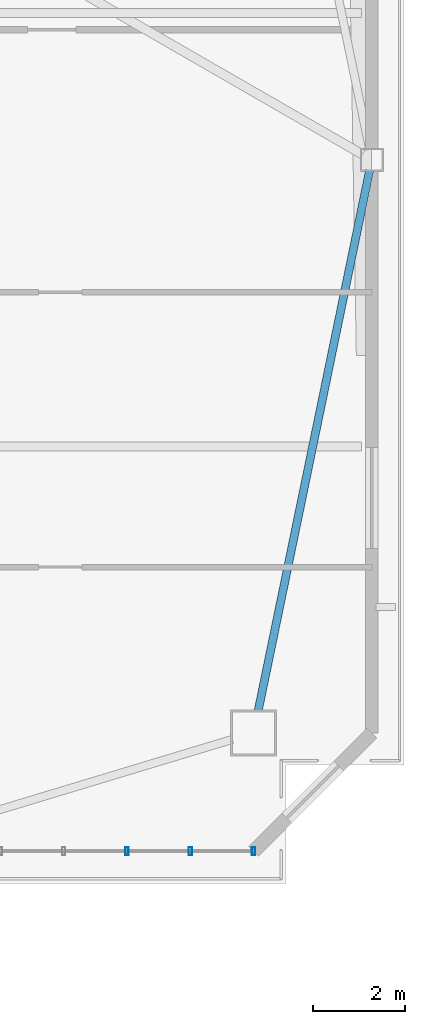
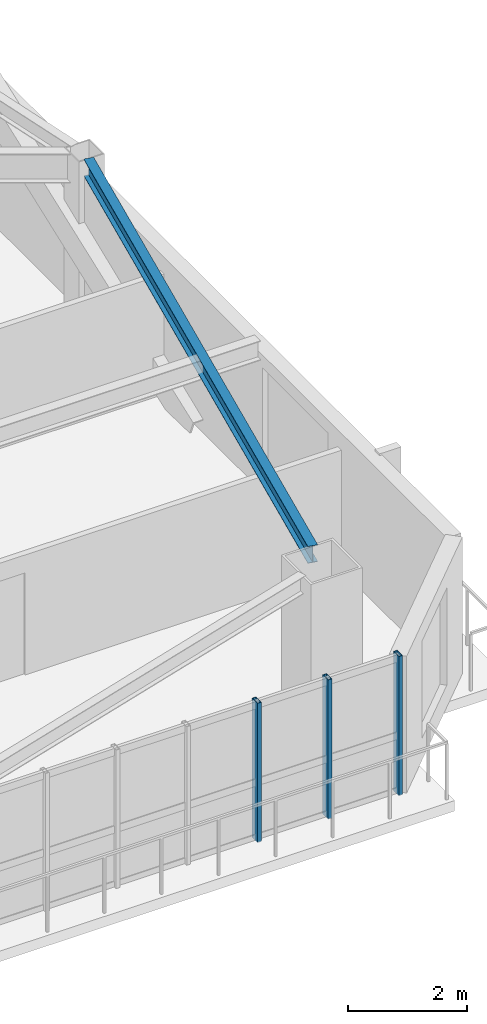
# One storey, part 6 of 18: 3 members, 1 beam, 1 element without a shape of its own.
"""IFC4 building model written with IfcOpenShell, lengths in metres."""

from ifc_helpers import new_model, si_unit, direction, frame, origin, origin_2d, place, context, subcontext, project, spatial, hollow_rectangle, i_section, extrude, source, transform, mapped, material, layer, layer_set, material_profile, profile_set, type_object, element, aggregate, save


model = new_model("IFC4")

# Units and contexts
model_context = context("Model", 3, precision=1e-05, world=origin(), true_north=direction((0.0, 1.0)))
body_context = subcontext(model_context, "Body", "Model", "MODEL_VIEW")
ifc_project = project(units=[si_unit("LENGTHUNIT", "METRE"), si_unit("AREAUNIT", "SQUARE_METRE"), si_unit("VOLUMEUNIT", "CUBIC_METRE"), si_unit("PLANEANGLEUNIT", "RADIAN"), si_unit("MASSUNIT", "GRAM", prefix="KILO")], contexts=[model_context])

# Site, building, storey
site_placement = place(None, origin())
site = spatial("IfcSite", under=ifc_project, at=site_placement, CompositionType="ELEMENT")
building_placement = place(site_placement, origin())
building = spatial("IfcBuilding", under=site, at=building_placement, Name="Giltprow Tower", CompositionType="ELEMENT")
storey_placement = place(building_placement, frame((0.0, 0.0, 262.10009765625)))
storey = spatial("IfcBuildingStorey", under=building, at=storey_placement, Name="L67", CompositionType="ELEMENT", Elevation=262.10009765625)

# Beam
ifc_material_1 = material(Name="Structural steel Q355B", Category="steel")
ifc_material_profile_1 = material_profile(ifc_material_1, i_section(OverallWidth=0.175048828125, OverallDepth=0.35009765625, WebThickness=0.007080078125, FlangeThickness=0.010986328125, at=origin_2d()), Name="HN 350x175x7x11")
ifc_profile_set_1 = profile_set([ifc_material_profile_1], Name="Structural steel Q355B")
beam_type = type_object("IfcBeamType", Name="BM-SPAN-HN350", PredefinedType="SPANDREL", material=ifc_profile_set_1)
shared_shape_1 = source(origin(), body_context, "Body", "SweptSolid", [
    extrude(i_section(OverallWidth=0.175048828125, OverallDepth=0.35009765625, WebThickness=0.007080078125, FlangeThickness=0.010986328125, at=origin_2d()), origin(), (0.0, 0.0, 1.0), 12.000244140625),
])
beam_placement = place(storey_placement, frame((59.15087890625, 19.089111328125, 3.010009765625), z_axis=(0.202000773979, 0.979385362006, 0.0), x_axis=(-0.979385362006, 0.202000773979, 0.0)))
element("IfcBeam", 1, at=beam_placement, inside=storey, type_object=beam_type, Name="L67 Perimeter Spandrel Beam MC_SE-E_MID", PredefinedType="SPANDREL", context=body_context, shape_type="MappedRepresentation", body=[
    mapped(shared_shape_1, transform((0.0, 0.0, 0.0), x_axis=(1.0, 0.0, 0.0), y_axis=(0.0, 1.0, 0.0), z_axis=(0.0, 0.0, 1.0), scale=1.0)),
])

# Curtain wall, members
ifc_material_2 = material(Name="Anodized bronze", Category="metal")
ifc_layer = layer(ifc_material_2, 0.179931640625, Name="Anodized bronze")
ifc_layer_set = layer_set([ifc_layer], Name="Anodized bronze")
curtain_wall_type = type_object("IfcCurtainWallType", Name="CW-RES-SKY", PredefinedType="NOTDEFINED", material=ifc_layer_set)
curtain_wall_placement = place(storey_placement, origin())
curtain_wall = element("IfcCurtainWall", 2, at=curtain_wall_placement, inside=storey, type_object=curtain_wall_type, Name="L67 South Recessed Curtain Wall 6", PredefinedType="NOTDEFINED")
ifc_material_profile_2 = material_profile(ifc_material_2, hollow_rectangle(XDim=0.074951171875, YDim=0.179931640625, WallThickness=0.008056640625, at=origin_2d()), Name="RHS 180x75x8")
ifc_profile_set_2 = profile_set([ifc_material_profile_2], Name="Anodized bronze")
member_type = type_object("IfcMemberType", Name="CW-MULLION-180x75", PredefinedType="MULLION", material=ifc_profile_set_2)
shared_shape_2 = source(origin(), body_context, "Body", "SweptSolid", [
    extrude(hollow_rectangle(XDim=0.074951171875, YDim=0.179931640625, WallThickness=0.008056640625, at=origin_2d()), origin(), (0.0, 0.0, 1.0), 2.869873046875),
])
member_1_placement = place(storey_placement, frame((56.302001953125, 16.044921875, -0.02001953125), z_axis=(0.0, 0.0, 1.0), x_axis=(1.0, 0.0, 0.0)))
member_1 = element("IfcMember", 3, at=member_1_placement, type_object=member_type, Name="L67 South Recessed Curtain Wall 6 Mullion 5", PredefinedType="MULLION", context=body_context, shape_type="MappedRepresentation", body=[
    mapped(shared_shape_2, transform((0.0, 0.0, 0.0), x_axis=(1.0, 0.0, 0.0), y_axis=(0.0, 1.0, 0.0), z_axis=(0.0, 0.0, 1.0), scale=1.0)),
])
member_2_placement = place(storey_placement, frame((57.677001953125, 16.044921875, -0.02001953125), z_axis=(0.0, 0.0, 1.0), x_axis=(1.0, 0.0, 0.0)))
member_2 = element("IfcMember", 4, at=member_2_placement, type_object=member_type, Name="L67 South Recessed Curtain Wall 6 Mullion 6", PredefinedType="MULLION", context=body_context, shape_type="MappedRepresentation", body=[
    mapped(shared_shape_2, transform((0.0, 0.0, 0.0), x_axis=(1.0, 0.0, 0.0), y_axis=(0.0, 1.0, 0.0), z_axis=(0.0, 0.0, 1.0), scale=1.0)),
])
member_3_placement = place(storey_placement, frame((59.052978515625, 16.044921875, -0.02001953125), z_axis=(0.0, 0.0, 1.0), x_axis=(1.0, 0.0, 0.0)))
member_3 = element("IfcMember", 5, at=member_3_placement, type_object=member_type, Name="L67 South Recessed Curtain Wall 6 Mullion 7", PredefinedType="MULLION", context=body_context, shape_type="MappedRepresentation", body=[
    mapped(shared_shape_2, transform((0.0, 0.0, 0.0), x_axis=(1.0, 0.0, 0.0), y_axis=(0.0, 1.0, 0.0), z_axis=(0.0, 0.0, 1.0), scale=1.0)),
])
aggregate(curtain_wall, [member_1, member_2, member_3])

save(model, "model.ifc")
